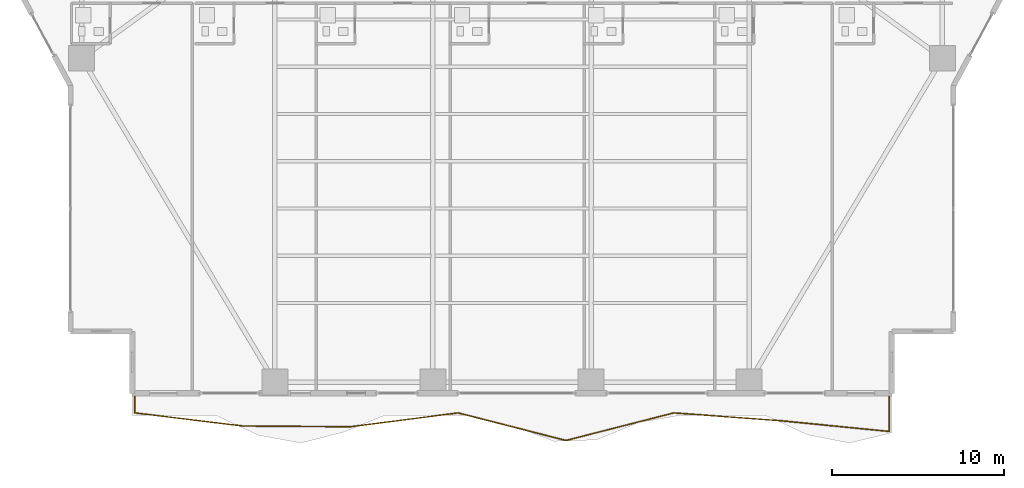
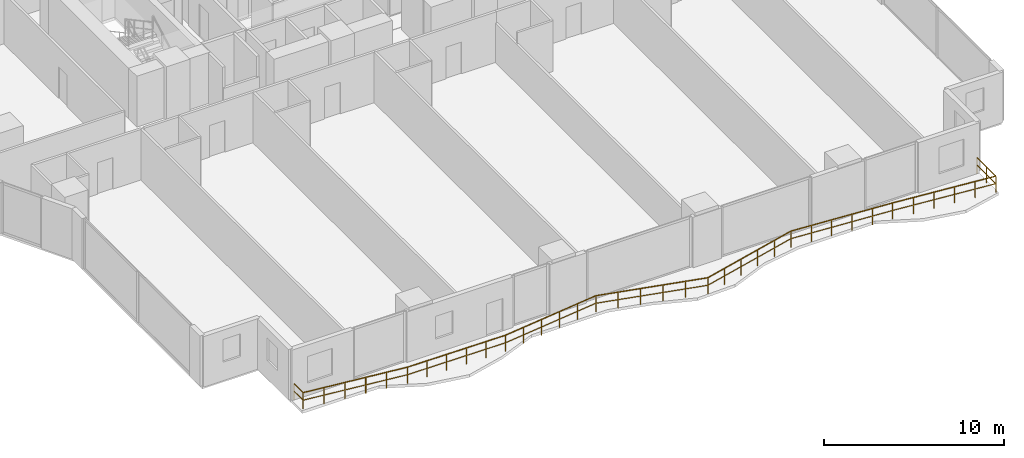
# One storey, part 24 of 28: 1 railing.
"""IFC4 building model written with IfcOpenShell, lengths in metres."""

from ifc_helpers import new_model, si_unit, direction, frame, origin, origin_2d, place, context, subcontext, project, spatial, rectangle, extrude, material, type_object, element, save


model = new_model("IFC4")

# Units and contexts
model_context = context("Model", 3, precision=1e-05, world=origin(), true_north=direction((0.0, 1.0)))
body_context = subcontext(model_context, "Body", "Model", "MODEL_VIEW")
ifc_project = project(units=[si_unit("LENGTHUNIT", "METRE"), si_unit("AREAUNIT", "SQUARE_METRE"), si_unit("VOLUMEUNIT", "CUBIC_METRE"), si_unit("PLANEANGLEUNIT", "RADIAN"), si_unit("MASSUNIT", "GRAM", prefix="KILO")], contexts=[model_context])

# Site, building, storey
site_placement = place(None, origin())
site = spatial("IfcSite", under=ifc_project, at=site_placement, CompositionType="ELEMENT")
building_placement = place(site_placement, origin())
building = spatial("IfcBuilding", under=site, at=building_placement, Name="Zuhayl Quay Hotel", CompositionType="ELEMENT")
storey_placement = place(building_placement, frame((0.0, 0.0, 53.14990234375)))
storey = spatial("IfcBuildingStorey", under=building, at=storey_placement, Name="L12", CompositionType="ELEMENT", Elevation=53.14990234375)

# Railing
ifc_material = material(Name="Anodised Aluminium and Laminated Glass", Category="aluminium")
railing_type = type_object("IfcRailingType", Name="RL_EXT_BAL_1100", PredefinedType="BALUSTRADE", material=ifc_material)
railing_placement = place(storey_placement, frame((-21.9599609375, -23.219970703125, 0.0)))
element("IfcRailing", 1, at=railing_placement, inside=storey, type_object=railing_type, Name="L12 Balcony and Terrace Guard GR_L12_BAL_S", PredefinedType="BALUSTRADE", context=body_context, shape_type="SweptSolid", body=[
    extrude(rectangle(XDim=0.048095703125, YDim=0.048095703125, at=origin_2d()), frame((0.0, 0.0, 1.09619140625), z_axis=(0.0, -1.0, 0.0), x_axis=(1.0, 0.0, 0.0)), (0.0, 0.0, 1.0), 1.02001953125),
    extrude(rectangle(XDim=0.0361328125, YDim=0.0361328125, at=origin_2d()), frame((0.0, 0.0, 0.58251953125), z_axis=(0.0, -1.0, 0.0), x_axis=(1.0, 0.0, 0.0)), (0.0, 0.0, 1.0), 1.02001953125),
    extrude(rectangle(XDim=0.048095703125, YDim=0.048095703125, at=origin_2d()), frame((0.0, -1.02001953125, 1.09619140625), z_axis=(0.992687706075, -0.120710886863, 0.0), x_axis=(0.120710886863, 0.992687706075, 0.0)), (0.0, 0.0, 1.0), 6.3203125),
    extrude(rectangle(XDim=0.0361328125, YDim=0.0361328125, at=origin_2d()), frame((0.0, -1.02001953125, 0.58251953125), z_axis=(0.992687706075, -0.120710886863, 0.0), x_axis=(0.120710886863, 0.992687706075, 0.0)), (0.0, 0.0, 1.0), 6.3203125),
    extrude(rectangle(XDim=0.048095703125, YDim=0.048095703125, at=origin_2d()), frame((6.274169921875, -1.782958984375, 1.09619140625), z_axis=(0.999974371528, -0.007159349586, 0.0), x_axis=(0.007159349586, 0.999974371528, 0.0)), (0.0, 0.0, 1.0), 6.274658203125),
    extrude(rectangle(XDim=0.0361328125, YDim=0.0361328125, at=origin_2d()), frame((6.274169921875, -1.782958984375, 0.58251953125), z_axis=(0.999974371528, -0.007159349586, 0.0), x_axis=(0.007159349586, 0.999974371528, 0.0)), (0.0, 0.0, 1.0), 6.274658203125),
    extrude(rectangle(XDim=0.048095703125, YDim=0.048095703125, at=origin_2d()), frame((12.548583984375, -1.827880859375, 1.09619140625), z_axis=(0.991812118735, 0.127705603366, 0.0), x_axis=(-0.127705603366, 0.991812118735, 0.0)), (0.0, 0.0, 1.0), 6.325927734375),
    extrude(rectangle(XDim=0.0361328125, YDim=0.0361328125, at=origin_2d()), frame((12.548583984375, -1.827880859375, 0.58251953125), z_axis=(0.991812118735, 0.127705603366, 0.0), x_axis=(-0.127705603366, 0.991812118735, 0.0)), (0.0, 0.0, 1.0), 6.325927734375),
    extrude(rectangle(XDim=0.048095703125, YDim=0.048095703125, at=origin_2d()), frame((18.82275390625, -1.02001953125, 1.09619140625), z_axis=(0.968715931621, -0.248172205984, 0.0), x_axis=(0.248172205984, 0.968715931621, 0.0)), (0.0, 0.0, 1.0), 6.47705078125),
    extrude(rectangle(XDim=0.0361328125, YDim=0.0361328125, at=origin_2d()), frame((18.82275390625, -1.02001953125, 0.58251953125), z_axis=(0.968715931621, -0.248172205984, 0.0), x_axis=(0.248172205984, 0.968715931621, 0.0)), (0.0, 0.0, 1.0), 6.47705078125),
    extrude(rectangle(XDim=0.048095703125, YDim=0.048095703125, at=origin_2d()), frame((25.09716796875, -2.62744140625, 1.09619140625), z_axis=(0.968713609989, 0.248181268071, 0.0), x_axis=(-0.248181268071, 0.968713609989, 0.0)), (0.0, 0.0, 1.0), 6.476806640625),
    extrude(rectangle(XDim=0.0361328125, YDim=0.0361328125, at=origin_2d()), frame((25.09716796875, -2.62744140625, 0.58251953125), z_axis=(0.968713609989, 0.248181268071, 0.0), x_axis=(-0.248181268071, 0.968713609989, 0.0)), (0.0, 0.0, 1.0), 6.476806640625),
    extrude(rectangle(XDim=0.048095703125, YDim=0.048095703125, at=origin_2d()), frame((31.371337890625, -1.02001953125, 1.09619140625), z_axis=(0.99730962823, -0.073304197966, 0.0), x_axis=(0.073304197966, 0.99730962823, 0.0)), (0.0, 0.0, 1.0), 6.291259765625),
    extrude(rectangle(XDim=0.0361328125, YDim=0.0361328125, at=origin_2d()), frame((31.371337890625, -1.02001953125, 0.58251953125), z_axis=(0.99730962823, -0.073304197966, 0.0), x_axis=(0.073304197966, 0.99730962823, 0.0)), (0.0, 0.0, 1.0), 6.291259765625),
    extrude(rectangle(XDim=0.048095703125, YDim=0.048095703125, at=origin_2d()), frame((37.645751953125, -1.481201171875, 1.09619140625), z_axis=(0.995158743898, -0.098280590374, 0.0), x_axis=(0.098280590374, 0.995158743898, 0.0)), (0.0, 0.0, 1.0), 6.3046875),
    extrude(rectangle(XDim=0.0361328125, YDim=0.0361328125, at=origin_2d()), frame((37.645751953125, -1.481201171875, 0.58251953125), z_axis=(0.995158743898, -0.098280590374, 0.0), x_axis=(0.098280590374, 0.995158743898, 0.0)), (0.0, 0.0, 1.0), 6.3046875),
    extrude(rectangle(XDim=0.048095703125, YDim=0.048095703125, at=origin_2d()), frame((43.919921875, -2.100830078125, 1.09619140625), z_axis=(0.0, 1.0, 0.0), x_axis=(-1.0, 0.0, 0.0)), (0.0, 0.0, 1.0), 2.100830078125),
    extrude(rectangle(XDim=0.0361328125, YDim=0.0361328125, at=origin_2d()), frame((43.919921875, -2.100830078125, 0.58251953125), z_axis=(0.0, 1.0, 0.0), x_axis=(-1.0, 0.0, 0.0)), (0.0, 0.0, 1.0), 2.100830078125),
    extrude(rectangle(XDim=0.0419921875, YDim=0.0419921875, at=origin_2d()), origin(), (0.0, 0.0, 1.0), 1.072021484375),
    extrude(rectangle(XDim=0.0419921875, YDim=0.0419921875, at=origin_2d()), frame((0.0, -1.02001953125, 0.0)), (0.0, 0.0, 1.0), 1.072021484375),
    extrude(rectangle(XDim=0.0419921875, YDim=0.0419921875, at=origin_2d()), frame((1.2548828125, -1.172607421875, 0.0)), (0.0, 0.0, 1.0), 1.072021484375),
    extrude(rectangle(XDim=0.0419921875, YDim=0.0419921875, at=origin_2d()), frame((2.509765625, -1.3251953125, 0.0)), (0.0, 0.0, 1.0), 1.072021484375),
    extrude(rectangle(XDim=0.0419921875, YDim=0.0419921875, at=origin_2d()), frame((3.764404296875, -1.477783203125, 0.0)), (0.0, 0.0, 1.0), 1.072021484375),
    extrude(rectangle(XDim=0.0419921875, YDim=0.0419921875, at=origin_2d()), frame((5.019287109375, -1.63037109375, 0.0)), (0.0, 0.0, 1.0), 1.072021484375),
    extrude(rectangle(XDim=0.0419921875, YDim=0.0419921875, at=origin_2d()), frame((6.274169921875, -1.782958984375, 0.0)), (0.0, 0.0, 1.0), 1.072021484375),
    extrude(rectangle(XDim=0.0419921875, YDim=0.0419921875, at=origin_2d()), frame((7.529052734375, -1.7919921875, 0.0)), (0.0, 0.0, 1.0), 1.072021484375),
    extrude(rectangle(XDim=0.0419921875, YDim=0.0419921875, at=origin_2d()), frame((8.783935546875, -1.801025390625, 0.0)), (0.0, 0.0, 1.0), 1.072021484375),
    extrude(rectangle(XDim=0.0419921875, YDim=0.0419921875, at=origin_2d()), frame((10.038818359375, -1.809814453125, 0.0)), (0.0, 0.0, 1.0), 1.072021484375),
    extrude(rectangle(XDim=0.0419921875, YDim=0.0419921875, at=origin_2d()), frame((11.293701171875, -1.81884765625, 0.0)), (0.0, 0.0, 1.0), 1.072021484375),
    extrude(rectangle(XDim=0.0419921875, YDim=0.0419921875, at=origin_2d()), frame((12.548583984375, -1.827880859375, 0.0)), (0.0, 0.0, 1.0), 1.072021484375),
    extrude(rectangle(XDim=0.0419921875, YDim=0.0419921875, at=origin_2d()), frame((13.803466796875, -1.666259765625, 0.0)), (0.0, 0.0, 1.0), 1.072021484375),
    extrude(rectangle(XDim=0.0419921875, YDim=0.0419921875, at=origin_2d()), frame((15.058349609375, -1.504638671875, 0.0)), (0.0, 0.0, 1.0), 1.072021484375),
    extrude(rectangle(XDim=0.0419921875, YDim=0.0419921875, at=origin_2d()), frame((16.31298828125, -1.34326171875, 0.0)), (0.0, 0.0, 1.0), 1.072021484375),
    extrude(rectangle(XDim=0.0419921875, YDim=0.0419921875, at=origin_2d()), frame((17.56787109375, -1.181640625, 0.0)), (0.0, 0.0, 1.0), 1.072021484375),
    extrude(rectangle(XDim=0.0419921875, YDim=0.0419921875, at=origin_2d()), frame((18.82275390625, -1.02001953125, 0.0)), (0.0, 0.0, 1.0), 1.072021484375),
    extrude(rectangle(XDim=0.0419921875, YDim=0.0419921875, at=origin_2d()), frame((20.07763671875, -1.341552734375, 0.0)), (0.0, 0.0, 1.0), 1.072021484375),
    extrude(rectangle(XDim=0.0419921875, YDim=0.0419921875, at=origin_2d()), frame((21.33251953125, -1.6630859375, 0.0)), (0.0, 0.0, 1.0), 1.072021484375),
    extrude(rectangle(XDim=0.0419921875, YDim=0.0419921875, at=origin_2d()), frame((22.58740234375, -1.984375, 0.0)), (0.0, 0.0, 1.0), 1.072021484375),
    extrude(rectangle(XDim=0.0419921875, YDim=0.0419921875, at=origin_2d()), frame((23.84228515625, -2.305908203125, 0.0)), (0.0, 0.0, 1.0), 1.072021484375),
    extrude(rectangle(XDim=0.0419921875, YDim=0.0419921875, at=origin_2d()), frame((25.09716796875, -2.62744140625, 0.0)), (0.0, 0.0, 1.0), 1.072021484375),
    extrude(rectangle(XDim=0.0419921875, YDim=0.0419921875, at=origin_2d()), frame((26.35205078125, -2.305908203125, 0.0)), (0.0, 0.0, 1.0), 1.072021484375),
    extrude(rectangle(XDim=0.0419921875, YDim=0.0419921875, at=origin_2d()), frame((27.60693359375, -1.984375, 0.0)), (0.0, 0.0, 1.0), 1.072021484375),
    extrude(rectangle(XDim=0.0419921875, YDim=0.0419921875, at=origin_2d()), frame((28.861572265625, -1.6630859375, 0.0)), (0.0, 0.0, 1.0), 1.072021484375),
    extrude(rectangle(XDim=0.0419921875, YDim=0.0419921875, at=origin_2d()), frame((30.116455078125, -1.341552734375, 0.0)), (0.0, 0.0, 1.0), 1.072021484375),
    extrude(rectangle(XDim=0.0419921875, YDim=0.0419921875, at=origin_2d()), frame((31.371337890625, -1.02001953125, 0.0)), (0.0, 0.0, 1.0), 1.072021484375),
    extrude(rectangle(XDim=0.0419921875, YDim=0.0419921875, at=origin_2d()), frame((32.626220703125, -1.1123046875, 0.0)), (0.0, 0.0, 1.0), 1.072021484375),
    extrude(rectangle(XDim=0.0419921875, YDim=0.0419921875, at=origin_2d()), frame((33.881103515625, -1.20458984375, 0.0)), (0.0, 0.0, 1.0), 1.072021484375),
    extrude(rectangle(XDim=0.0419921875, YDim=0.0419921875, at=origin_2d()), frame((35.135986328125, -1.296630859375, 0.0)), (0.0, 0.0, 1.0), 1.072021484375),
    extrude(rectangle(XDim=0.0419921875, YDim=0.0419921875, at=origin_2d()), frame((36.390869140625, -1.388916015625, 0.0)), (0.0, 0.0, 1.0), 1.072021484375),
    extrude(rectangle(XDim=0.0419921875, YDim=0.0419921875, at=origin_2d()), frame((37.645751953125, -1.481201171875, 0.0)), (0.0, 0.0, 1.0), 1.072021484375),
    extrude(rectangle(XDim=0.0419921875, YDim=0.0419921875, at=origin_2d()), frame((38.900634765625, -1.605224609375, 0.0)), (0.0, 0.0, 1.0), 1.072021484375),
    extrude(rectangle(XDim=0.0419921875, YDim=0.0419921875, at=origin_2d()), frame((40.155517578125, -1.72900390625, 0.0)), (0.0, 0.0, 1.0), 1.072021484375),
    extrude(rectangle(XDim=0.0419921875, YDim=0.0419921875, at=origin_2d()), frame((41.41015625, -1.85302734375, 0.0)), (0.0, 0.0, 1.0), 1.072021484375),
    extrude(rectangle(XDim=0.0419921875, YDim=0.0419921875, at=origin_2d()), frame((42.6650390625, -1.976806640625, 0.0)), (0.0, 0.0, 1.0), 1.072021484375),
    extrude(rectangle(XDim=0.0419921875, YDim=0.0419921875, at=origin_2d()), frame((43.919921875, -2.100830078125, 0.0)), (0.0, 0.0, 1.0), 1.072021484375),
    extrude(rectangle(XDim=0.0419921875, YDim=0.0419921875, at=origin_2d()), frame((43.919921875, -1.05029296875, 0.0)), (0.0, 0.0, 1.0), 1.072021484375),
    extrude(rectangle(XDim=0.0419921875, YDim=0.0419921875, at=origin_2d()), frame((43.919921875, 0.0, 0.0)), (0.0, 0.0, 1.0), 1.072021484375),
])

save(model, "model.ifc")
